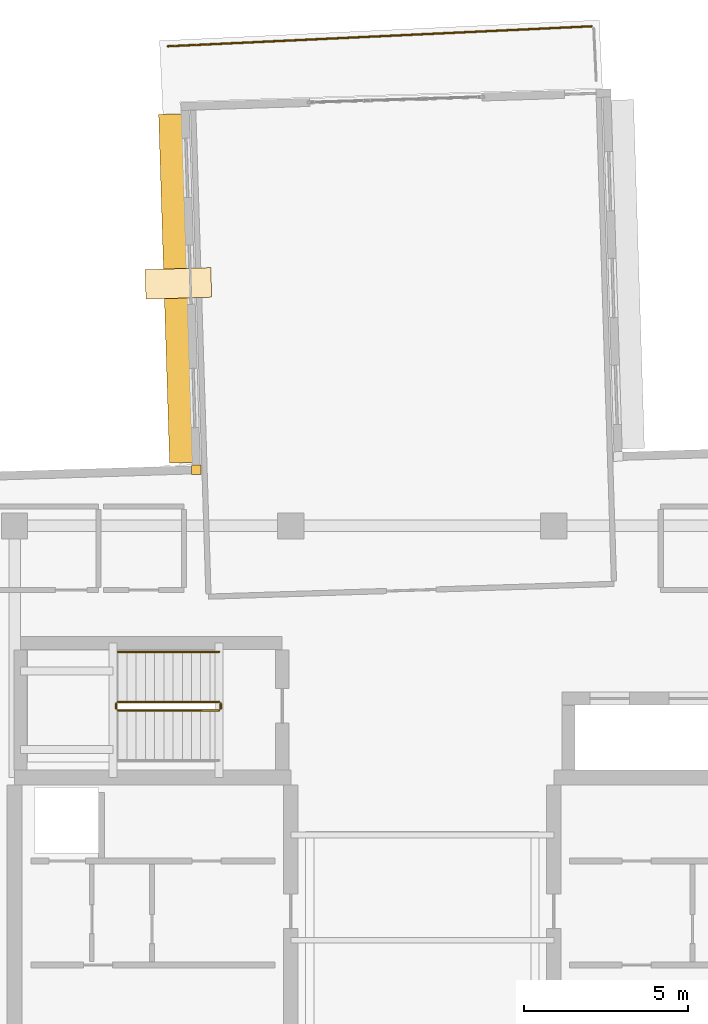
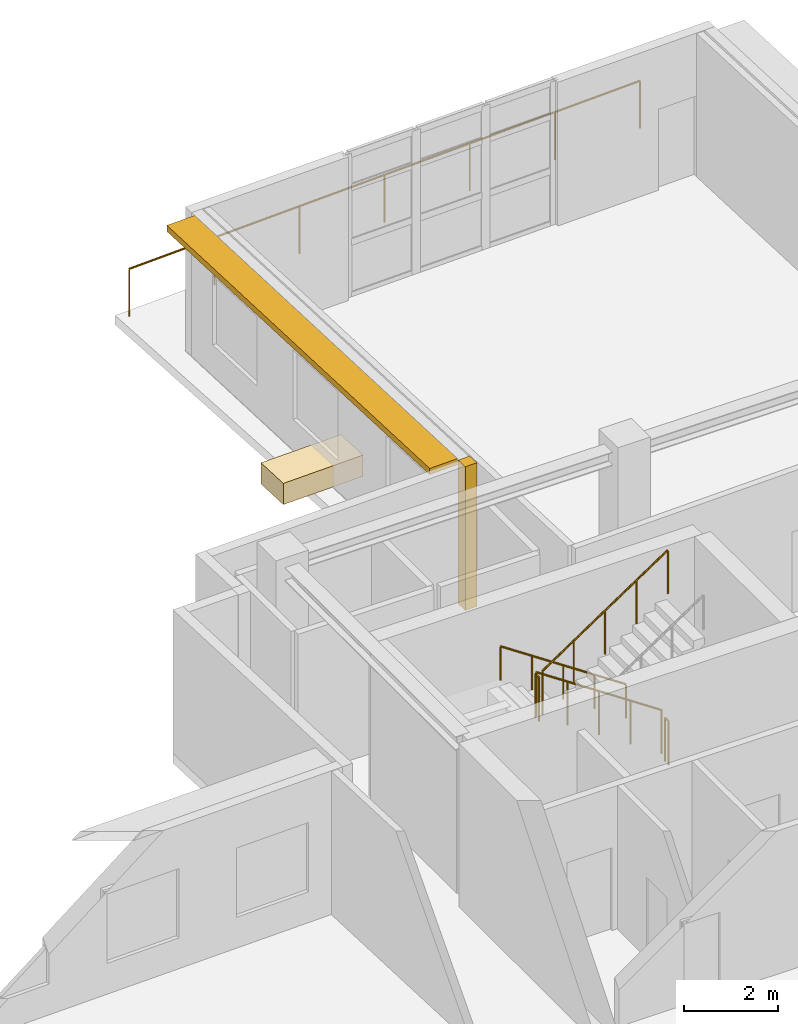
# One storey, part 17 of 18: 6 railings, 2 coverings, 1 shading device.
"""IFC4 building model written with IfcOpenShell, lengths in metres."""

from ifc_helpers import new_model, si_unit, direction, frame, origin, origin_2d, place, context, subcontext, project, spatial, rectangle, circle, extrude, material, layer, layer_set, type_object, element, save


model = new_model("IFC4")

# Units and contexts
model_context = context("Model", 3, precision=1e-05, world=origin(), true_north=direction((0.0, 1.0)))
body_context = subcontext(model_context, "Body", "Model", "MODEL_VIEW")
ifc_project = project(units=[si_unit("LENGTHUNIT", "METRE"), si_unit("AREAUNIT", "SQUARE_METRE"), si_unit("VOLUMEUNIT", "CUBIC_METRE"), si_unit("PLANEANGLEUNIT", "RADIAN"), si_unit("MASSUNIT", "GRAM", prefix="KILO")], contexts=[model_context])

# Site, building, storey
site_placement = place(None, origin())
site = spatial("IfcSite", under=ifc_project, at=site_placement, CompositionType="ELEMENT")
building_placement = place(site_placement, origin())
building = spatial("IfcBuilding", under=site, at=building_placement, Name="Qingluan Cross Belvedere", CompositionType="ELEMENT")
storey_placement = place(building_placement, frame((0.0, 0.0, 299.39990234375)))
storey = spatial("IfcBuildingStorey", under=building, at=storey_placement, Name="L74", CompositionType="ELEMENT", Elevation=299.39990234375)

# Covering
ifc_material_1 = material(Name="Precast concrete C45", Category="concrete")
ifc_layer_1 = layer(ifc_material_1, 0.1201171875, Name="ConcreteSpandrelCladding_120")
ifc_layer_set_1 = layer_set([ifc_layer_1], Name="Precast concrete C45")
covering_type_1 = type_object("IfcCoveringType", Name="ConcreteSpandrelCladding_120", PredefinedType="CLADDING", material=ifc_layer_set_1)
covering_1_placement = place(storey_placement, frame((-6.872802734375, 14.311279296875, 0.0), z_axis=(0.0, 0.0, 1.0), x_axis=(0.999506560366, 0.031410759078, 0.0)))
element("IfcCovering", 1, at=covering_1_placement, inside=storey, type_object=covering_type_1, Name="Corner closure L74-NW2", PredefinedType="CLADDING", context=body_context, shape_type="SweptSolid", body=[
    extrude(rectangle(XDim=0.2900390625, YDim=0.2900390625, at=origin_2d()), origin(), (0.0, 0.0, 1.0), 3.72998046875),
])

# Shading device
ifc_material_2 = material(Name="Precast concrete C45", Category="concrete")
ifc_layer_2 = layer(ifc_material_2, 0.139892578125, Name="ConcreteSunshadeBand_700")
ifc_layer_set_2 = layer_set([ifc_layer_2], Name="Precast concrete C45")
shading_device_type = type_object("IfcShadingDeviceType", Name="ConcreteSunshadeBand_700", PredefinedType="USERDEFINED", material=ifc_layer_set_2)
shading_device_placement = place(storey_placement, frame((-7.50146484375, 19.82421875, 3.55029296875), z_axis=(0.0, 0.0, 1.0), x_axis=(0.031415252618, -0.99950641914, 0.0)))
element("IfcShadingDevice", 2, at=shading_device_placement, inside=storey, type_object=shading_device_type, Name="Concrete SUNSHADE L74-NB", ObjectType="SUNSHADE", PredefinedType="USERDEFINED", context=body_context, shape_type="SweptSolid", body=[
    extrude(rectangle(XDim=10.610107421875, YDim=0.699951171875, at=origin_2d()), origin(), (0.0, 0.0, 1.0), 0.159912109375),
])

# Railings
ifc_material_3 = material(Name="Laminated safety glass and stainless steel balustrade", Category="steel")
railing_type_1 = type_object("IfcRailingType", Name="ObservationGuardBalustrade_1250", PredefinedType="BALUSTRADE", material=ifc_material_3)
railing_1_placement = place(storey_placement, frame((-7.744384765625, 27.1904296875, 0.0)))
element("IfcRailing", 3, at=railing_1_placement, inside=storey, type_object=railing_type_1, Name="Terrace guard L74-1", PredefinedType="BALUSTRADE", context=body_context, shape_type="SweptSolid", body=[
    extrude(circle(Radius=0.02392578125, at=origin_2d()), frame((0.0, 0.0, 1.22607421875), z_axis=(0.998889810863, 0.047107809899, 0.0), x_axis=(-0.047107809899, 0.998889810863, 0.0)), (0.0, 0.0, 1.0), 12.909912109375),
    extrude(circle(Radius=0.02099609375, at=origin_2d()), origin(), (0.0, 0.0, 1.0), 1.201904296875),
    extrude(circle(Radius=0.02099609375, at=origin_2d()), frame((2.149169921875, 0.101318359375, 0.0)), (0.0, 0.0, 1.0), 1.201904296875),
    extrude(circle(Radius=0.02099609375, at=origin_2d()), frame((4.298583984375, 0.20263671875, 0.0)), (0.0, 0.0, 1.0), 1.201904296875),
    extrude(circle(Radius=0.02099609375, at=origin_2d()), frame((6.44775390625, 0.30419921875, 0.0)), (0.0, 0.0, 1.0), 1.201904296875),
    extrude(circle(Radius=0.02099609375, at=origin_2d()), frame((8.596923828125, 0.405517578125, 0.0)), (0.0, 0.0, 1.0), 1.201904296875),
    extrude(circle(Radius=0.02099609375, at=origin_2d()), frame((10.746337890625, 0.5068359375, 0.0)), (0.0, 0.0, 1.0), 1.201904296875),
    extrude(circle(Radius=0.02099609375, at=origin_2d()), frame((12.8955078125, 0.608154296875, 0.0)), (0.0, 0.0, 1.0), 1.201904296875),
])
ifc_material_4 = material(Name="Brushed stainless steel tubular handrail", Category="steel")
railing_type_2 = type_object("IfcRailingType", Name="StairPitchHandrail_900", PredefinedType="HANDRAIL", material=ifc_material_4)
railing_2_placement = place(storey_placement, frame((-6.179931640625, 8.77001953125, 0.1875)))
element("IfcRailing", 4, at=railing_2_placement, inside=storey, type_object=railing_type_2, Name="L74 ST3 stair handrail 1", PredefinedType="HANDRAIL", context=body_context, shape_type="SweptSolid", body=[
    extrude(circle(Radius=0.02392578125, at=origin_2d()), frame((0.0, 0.0, 0.8759765625), z_axis=(-0.830913701846, 0.0, 0.55640131208), x_axis=(0.0, -1.0, 0.0)), (0.0, 0.0, 1.0), 3.706787109375),
    extrude(circle(Radius=0.02099609375, at=origin_2d()), origin(), (0.0, 0.0, 1.0), 0.851806640625),
    extrude(circle(Radius=0.02099609375, at=origin_2d()), frame((-0.77001953125, 0.0, 0.515625)), (0.0, 0.0, 1.0), 0.851806640625),
    extrude(circle(Radius=0.02099609375, at=origin_2d()), frame((-1.5400390625, 0.0, 1.03125)), (0.0, 0.0, 1.0), 0.851806640625),
    extrude(circle(Radius=0.02099609375, at=origin_2d()), frame((-2.31005859375, 0.0, 1.546875)), (0.0, 0.0, 1.0), 0.851806640625),
    extrude(circle(Radius=0.02099609375, at=origin_2d()), frame((-3.080078125, 0.0, 2.0625)), (0.0, 0.0, 1.0), 0.851806640625),
])
ifc_material_5 = material(Name="Painted steel stair well guard", Category="steel")
railing_type_3 = type_object("IfcRailingType", Name="StairWellGuard_1150", PredefinedType="BALUSTRADE", material=ifc_material_5)
railing_3_placement = place(storey_placement, frame((-6.179931640625, 7.25, 0.1875)))
element("IfcRailing", 5, at=railing_3_placement, inside=storey, type_object=railing_type_3, Name="L74 ST3 stair guard 1", PredefinedType="BALUSTRADE", context=body_context, shape_type="SweptSolid", body=[
    extrude(circle(Radius=0.02392578125, at=origin_2d()), frame((0.0, 0.0, 1.1259765625), z_axis=(-0.830913701846, 0.0, 0.55640131208), x_axis=(0.0, -1.0, 0.0)), (0.0, 0.0, 1.0), 3.706787109375),
    extrude(circle(Radius=0.02099609375, at=origin_2d()), origin(), (0.0, 0.0, 1.0), 1.101806640625),
    extrude(circle(Radius=0.02099609375, at=origin_2d()), frame((-0.77001953125, 0.0, 0.515625)), (0.0, 0.0, 1.0), 1.101806640625),
    extrude(circle(Radius=0.02099609375, at=origin_2d()), frame((-1.5400390625, 0.0, 1.03125)), (0.0, 0.0, 1.0), 1.101806640625),
    extrude(circle(Radius=0.02099609375, at=origin_2d()), frame((-2.31005859375, 0.0, 1.546875)), (0.0, 0.0, 1.0), 1.101806640625),
    extrude(circle(Radius=0.02099609375, at=origin_2d()), frame((-3.080078125, 0.0, 2.0625)), (0.0, 0.0, 1.0), 1.101806640625),
])
railing_4_placement = place(storey_placement, frame((-9.31005859375, 7.199951171875, 2.25)))
element("IfcRailing", 6, at=railing_4_placement, inside=storey, type_object=railing_type_3, Name="L74 ST3 stair guard 2", PredefinedType="BALUSTRADE", context=body_context, shape_type="SweptSolid", body=[
    extrude(circle(Radius=0.02392578125, at=origin_2d()), frame((0.0, 0.0, 1.1259765625), z_axis=(0.0, -1.0, 0.0), x_axis=(1.0, 0.0, 0.0)), (0.0, 0.0, 1.0), 0.159912109375),
    extrude(circle(Radius=0.02099609375, at=origin_2d()), origin(), (0.0, 0.0, 1.0), 1.101806640625),
    extrude(circle(Radius=0.02099609375, at=origin_2d()), frame((0.0, -0.159912109375, 0.0)), (0.0, 0.0, 1.0), 1.101806640625),
])
railing_5_placement = place(storey_placement, frame((-9.260009765625, 6.989990234375, 2.4375)))
element("IfcRailing", 7, at=railing_5_placement, inside=storey, type_object=railing_type_3, Name="L74 ST3 stair guard 3", PredefinedType="BALUSTRADE", context=body_context, shape_type="SweptSolid", body=[
    extrude(circle(Radius=0.02392578125, at=origin_2d()), frame((0.0, 0.0, 1.1259765625), z_axis=(0.830913701846, 0.0, 0.55640131208), x_axis=(0.0, 1.0, 0.0)), (0.0, 0.0, 1.0), 3.706787109375),
    extrude(circle(Radius=0.02099609375, at=origin_2d()), origin(), (0.0, 0.0, 1.0), 1.101806640625),
    extrude(circle(Radius=0.02099609375, at=origin_2d()), frame((0.77001953125, 0.0, 0.515625)), (0.0, 0.0, 1.0), 1.101806640625),
    extrude(circle(Radius=0.02099609375, at=origin_2d()), frame((1.5400390625, 0.0, 1.03125)), (0.0, 0.0, 1.0), 1.101806640625),
    extrude(circle(Radius=0.02099609375, at=origin_2d()), frame((2.31005859375, 0.0, 1.546875)), (0.0, 0.0, 1.0), 1.101806640625),
    extrude(circle(Radius=0.02099609375, at=origin_2d()), frame((3.080078125, 0.0, 2.0625)), (0.0, 0.0, 1.0), 1.101806640625),
])
railing_6_placement = place(storey_placement, frame((-6.1298828125, 7.199951171875, 0.0)))
element("IfcRailing", 8, at=railing_6_placement, inside=storey, type_object=railing_type_3, Name="L74 ST3 stair guard 4", PredefinedType="BALUSTRADE", context=body_context, shape_type="SweptSolid", body=[
    extrude(circle(Radius=0.02392578125, at=origin_2d()), frame((0.0, 0.0, 1.1259765625), z_axis=(0.0, -1.0, 0.0), x_axis=(1.0, 0.0, 0.0)), (0.0, 0.0, 1.0), 0.159912109375),
    extrude(circle(Radius=0.02099609375, at=origin_2d()), origin(), (0.0, 0.0, 1.0), 1.101806640625),
    extrude(circle(Radius=0.02099609375, at=origin_2d()), frame((0.0, -0.159912109375, 0.0)), (0.0, 0.0, 1.0), 1.101806640625),
])

# Covering
ifc_material_6 = material(Name="Precast concrete C40", Category="concrete")
ifc_layer_3 = layer(ifc_material_6, 0.550048828125, Name="TerracePlanterBox")
ifc_layer_set_3 = layer_set([ifc_layer_3], Name="Precast concrete C40")
covering_type_2 = type_object("IfcCoveringType", Name="TerracePlanterBox", PredefinedType="USERDEFINED", material=ifc_layer_set_3)
covering_2_placement = place(storey_placement, frame((-7.41796875, 19.97705078125, 0.0), z_axis=(0.0, 0.0, 1.0), x_axis=(0.999506560366, 0.031410759078, 0.0)))
element("IfcCovering", 9, at=covering_2_placement, inside=storey, type_object=covering_type_2, Name="Terrace garden planter L74-1", ObjectType="PLANTER", PredefinedType="USERDEFINED", context=body_context, shape_type="SweptSolid", body=[
    extrude(rectangle(XDim=2.0, YDim=0.89990234375, at=origin_2d()), origin(), (0.0, 0.0, 1.0), 0.550048828125),
])

save(model, "model.ifc")
